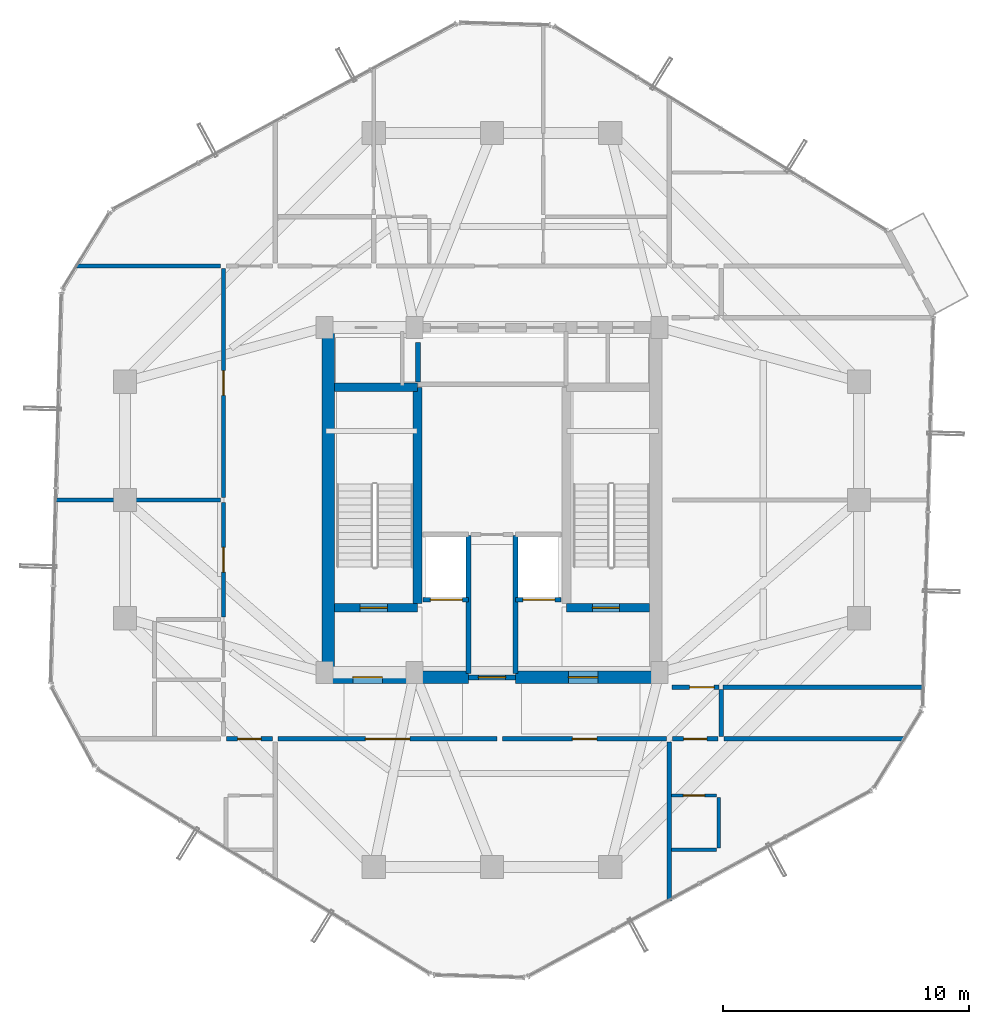
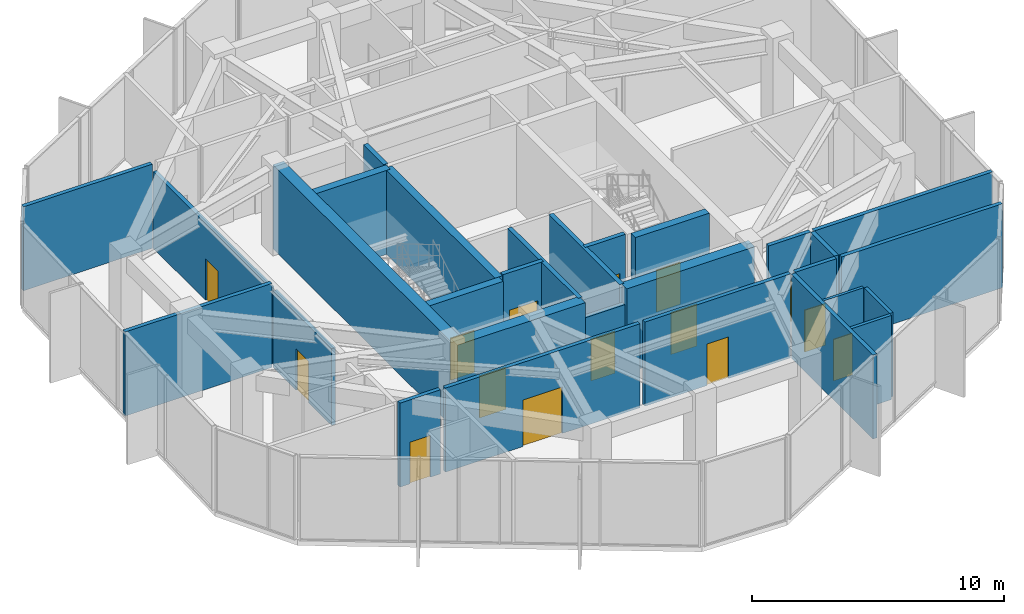
# One storey, part 18 of 22: 29 walls, 15 doors, 15 openings.
"""IFC4 building model written with IfcOpenShell, lengths in metres."""

from ifc_helpers import new_model, si_unit, direction, frame, frame_2d, origin, place, context, subcontext, project, spatial, rectangle, extrude, source, transform, mapped, material, layer, layer_set, type_object, element, fill, save


model = new_model("IFC4")

# Units and contexts
model_context = context("Model", 3, precision=1e-05, world=origin(), true_north=direction((0.0, 1.0)))
body_context = subcontext(model_context, "Body", "Model", "MODEL_VIEW")
ifc_project = project(units=[si_unit("LENGTHUNIT", "METRE"), si_unit("AREAUNIT", "SQUARE_METRE"), si_unit("VOLUMEUNIT", "CUBIC_METRE"), si_unit("PLANEANGLEUNIT", "RADIAN"), si_unit("MASSUNIT", "GRAM", prefix="KILO")], contexts=[model_context])

# Site, building, storey
site_placement = place(None, origin())
site = spatial("IfcSite", under=ifc_project, at=site_placement, CompositionType="ELEMENT")
building_placement = place(site_placement, origin())
building = spatial("IfcBuilding", under=site, at=building_placement, Name="Veraguas Prism Commons", CompositionType="ELEMENT")
storey_placement = place(building_placement, frame((0.0, 0.0, 211.35009765625)))
storey = spatial("IfcBuildingStorey", under=building, at=storey_placement, Name="L60", CompositionType="ELEMENT", Elevation=211.35009765625)

# Wall, opening, door
ifc_material_1 = material(Name="Concrete C50/60", Category="concrete")
ifc_layer_1 = layer(ifc_material_1, 0.35009765625, Name="Core Internal Shear Wall Upper RC 350", Category="concrete")
ifc_layer_set_1 = layer_set([ifc_layer_1], Name="Concrete C50/60")
wall_type_1 = type_object("IfcWallType", Name="Core Internal Shear Wall Upper RC 350", PredefinedType="SHEAR", material=ifc_layer_set_1)
wall_1_placement = place(storey_placement, frame((17.60009765625, 19.625, 0.0), z_axis=(0.0, 0.0, 1.0), x_axis=(1.0, 0.0, 0.0)))
wall_1 = element("IfcWall", 1, at=wall_1_placement, inside=storey, type_object=wall_type_1, Name="Stair ST-01 South Shear Wall L60", PredefinedType="SHEAR", context=body_context, shape_type="SweptSolid", body=[
    extrude(rectangle(XDim=3.375, YDim=0.35009765625, at=frame_2d((1.6875, 0.0))), origin(), (0.0, 0.0, 1.0), 4.06494140625),
])
opening_1_placement = place(wall_1_placement, frame((1.050048828125, 0.0, 0.0)))
opening_1 = element("IfcOpeningElement", 2, at=opening_1_placement, cuts=wall_1, Name="Opening DR-05", PredefinedType="OPENING", context=body_context, shape_type="SweptSolid", body=[
    extrude(rectangle(XDim=1.10009765625, YDim=2.030029296875, at=frame_2d((0.550048828125, 1.01513671875))), frame((0.0, 0.18505859375, 0.0), z_axis=(0.0, -1.0, 0.0), x_axis=(1.0, 0.0, 0.0)), (0.0, 0.0, 1.0), 0.3701171875),
])
ifc_material_2 = material(Name="Steel fire-rated door assembly", Category="steel")
door_type_1 = type_object("IfcDoorType", Name="Protected Stair and Refuge Fire Door 1100x2030", OperationType="NOTDEFINED", PredefinedType="DOOR", material=ifc_material_2)
shared_shape_1 = source(origin(), body_context, "Body", "SweptSolid", [
    extrude(rectangle(XDim=1.10009765625, YDim=2.030029296875, at=frame_2d((0.550048828125, 1.01513671875))), frame((0.0, 0.02490234375, 0.0), z_axis=(0.0, -1.0, 0.0), x_axis=(1.0, 0.0, 0.0)), (0.0, 0.0, 1.0), 0.050048828125),
])
door_1_placement = place(opening_1_placement, origin())
door_1 = element("IfcDoor", 3, at=door_1_placement, inside=storey, type_object=door_type_1, Name="Stair ST-01 Enclosure Door L60", OperationType="SINGLE_SWING_LEFT", OverallHeight=2.030029296875, OverallWidth=1.10009765625, PredefinedType="DOOR", context=body_context, shape_type="MappedRepresentation", body=[
    mapped(shared_shape_1, transform((0.0, 0.0, 0.0), scale=1.0)),
])
fill(opening_1, door_1)

wall_2_placement = place(storey_placement, frame((27.02490234375, 19.625, 0.0), z_axis=(0.0, 0.0, 1.0), x_axis=(1.0, 0.0, 0.0)))
wall_2 = element("IfcWall", 4, at=wall_2_placement, inside=storey, type_object=wall_type_1, Name="Stair ST-02 South Shear Wall L60", PredefinedType="SHEAR", context=body_context, shape_type="SweptSolid", body=[
    extrude(rectangle(XDim=3.375, YDim=0.35009765625, at=frame_2d((1.6875, 0.0))), origin(), (0.0, 0.0, 1.0), 4.06494140625),
])
opening_2_placement = place(wall_2_placement, frame((1.050048828125, 0.0, 0.0)))
opening_2 = element("IfcOpeningElement", 5, at=opening_2_placement, cuts=wall_2, Name="Opening DR-05", PredefinedType="OPENING", context=body_context, shape_type="SweptSolid", body=[
    extrude(rectangle(XDim=1.10009765625, YDim=2.030029296875, at=frame_2d((0.550048828125, 1.01513671875))), frame((0.0, 0.18505859375, 0.0), z_axis=(0.0, -1.0, 0.0), x_axis=(1.0, 0.0, 0.0)), (0.0, 0.0, 1.0), 0.3701171875),
])
door_2_placement = place(opening_2_placement, origin())
door_2 = element("IfcDoor", 6, at=door_2_placement, inside=storey, type_object=door_type_1, Name="Stair ST-02 Enclosure Door L60", OperationType="SINGLE_SWING_RIGHT", OverallHeight=2.030029296875, OverallWidth=1.10009765625, PredefinedType="DOOR", context=body_context, shape_type="MappedRepresentation", body=[
    mapped(shared_shape_1, transform((0.0, 0.0, 0.0), scale=1.0)),
])
fill(opening_2, door_2)

# Walls
wall_3_placement = place(storey_placement, frame((20.97509765625, 19.800048828125, 0.0), z_axis=(0.0, 0.0, 1.0), x_axis=(0.0, 1.0, 0.0)))
element("IfcWall", 7, at=wall_3_placement, inside=storey, type_object=wall_type_1, Name="Stair ST-01 Inner Shear Wall L60", PredefinedType="SHEAR", context=body_context, shape_type="SweptSolid", body=[
    extrude(rectangle(XDim=8.77490234375, YDim=0.35009765625, at=frame_2d((4.387451171875, 0.0))), origin(), (0.0, 0.0, 1.0), 4.06494140625),
])
wall_4_placement = place(storey_placement, frame((17.60009765625, 28.574951171875, 0.0), z_axis=(0.0, 0.0, 1.0), x_axis=(1.0, 0.0, 0.0)))
element("IfcWall", 8, at=wall_4_placement, inside=storey, type_object=wall_type_1, Name="Stair ST-01 North Shear Wall L60", PredefinedType="SHEAR", context=body_context, shape_type="SweptSolid", body=[
    extrude(rectangle(XDim=3.375, YDim=0.35009765625, at=frame_2d((1.6875, 0.0))), origin(), (0.0, 0.0, 1.0), 4.06494140625),
])
ifc_layer_2 = layer(ifc_material_1, 0.5, Name="Core Outer Shear Wall Upper RC 500", Category="concrete")
ifc_layer_set_2 = layer_set([ifc_layer_2], Name="Concrete C50/60")
wall_type_2 = type_object("IfcWallType", Name="Core Outer Shear Wall Upper RC 500", PredefinedType="SHEAR", material=ifc_layer_set_2)
wall_5_placement = place(storey_placement, frame((17.35009765625, 16.800048828125, 0.0), z_axis=(0.0, 0.0, 1.0), x_axis=(0.0, 1.0, 0.0)))
element("IfcWall", 9, at=wall_5_placement, inside=storey, type_object=wall_type_2, Name="Central Core West Shear Wall L60", PredefinedType="SHEAR", context=body_context, shape_type="SweptSolid", body=[
    extrude(rectangle(XDim=14.199951171875, YDim=0.5, at=frame_2d((7.10009765625, 0.0))), origin(), (0.0, 0.0, 1.0), 4.06494140625),
])

# Wall, opening, door
wall_6_placement = place(storey_placement, frame((17.199951171875, 16.800048828125, 0.0), z_axis=(0.0, 0.0, 1.0), x_axis=(1.0, 0.0, 0.0)))
wall_6 = element("IfcWall", 10, at=wall_6_placement, inside=storey, type_object=wall_type_2, Name="Central Core South-West Shear Wall L60", PredefinedType="SHEAR", context=body_context, shape_type="SweptSolid", body=[
    extrude(rectangle(XDim=5.85009765625, YDim=0.5, at=frame_2d((2.925048828125, 0.0))), origin(), (0.0, 0.0, 1.0), 4.06494140625),
])
opening_3_placement = place(wall_6_placement, frame((1.14990234375, 0.0, 0.0)))
opening_3 = element("IfcOpeningElement", 11, at=opening_3_placement, cuts=wall_6, Name="Opening DR-06", PredefinedType="OPENING", context=body_context, shape_type="SweptSolid", body=[
    extrude(rectangle(XDim=1.199951171875, YDim=2.030029296875, at=frame_2d((0.60009765625, 1.01513671875))), frame((0.0, 0.260009765625, 0.0), z_axis=(0.0, -1.0, 0.0), x_axis=(1.0, 0.0, 0.0)), (0.0, 0.0, 1.0), 0.52001953125),
])
door_type_2 = type_object("IfcDoorType", Name="Firefighting Lobby Smoke Door 1200x2030", OperationType="NOTDEFINED", PredefinedType="DOOR", material=ifc_material_2)
shared_shape_2 = source(origin(), body_context, "Body", "SweptSolid", [
    extrude(rectangle(XDim=1.199951171875, YDim=2.030029296875, at=frame_2d((0.60009765625, 1.01513671875))), frame((0.0, 0.02490234375, 0.0), z_axis=(0.0, -1.0, 0.0), x_axis=(1.0, 0.0, 0.0)), (0.0, 0.0, 1.0), 0.050048828125),
])
door_3_placement = place(opening_3_placement, origin())
door_3 = element("IfcDoor", 12, at=door_3_placement, inside=storey, type_object=door_type_2, Name="West FF Lobby Door L60", OperationType="SINGLE_SWING_LEFT", OverallHeight=2.030029296875, OverallWidth=1.199951171875, PredefinedType="DOOR", context=body_context, shape_type="MappedRepresentation", body=[
    mapped(shared_shape_2, transform((0.0, 0.0, 0.0), scale=1.0)),
])
fill(opening_3, door_3)

wall_7_placement = place(storey_placement, frame((24.949951171875, 16.800048828125, 0.0), z_axis=(0.0, 0.0, 1.0), x_axis=(1.0, 0.0, 0.0)))
wall_7 = element("IfcWall", 13, at=wall_7_placement, inside=storey, type_object=wall_type_2, Name="Central Core South-East Shear Wall L60", PredefinedType="SHEAR", context=body_context, shape_type="SweptSolid", body=[
    extrude(rectangle(XDim=5.85009765625, YDim=0.5, at=frame_2d((2.925048828125, 0.0))), origin(), (0.0, 0.0, 1.0), 4.06494140625),
])
opening_4_placement = place(wall_7_placement, frame((2.14990234375, 0.0, 0.0)))
opening_4 = element("IfcOpeningElement", 14, at=opening_4_placement, cuts=wall_7, Name="Opening DR-06", PredefinedType="OPENING", context=body_context, shape_type="SweptSolid", body=[
    extrude(rectangle(XDim=1.199951171875, YDim=2.030029296875, at=frame_2d((0.60009765625, 1.01513671875))), frame((0.0, 0.260009765625, 0.0), z_axis=(0.0, -1.0, 0.0), x_axis=(1.0, 0.0, 0.0)), (0.0, 0.0, 1.0), 0.52001953125),
])
door_4_placement = place(opening_4_placement, origin())
door_4 = element("IfcDoor", 15, at=door_4_placement, inside=storey, type_object=door_type_2, Name="East FF Lobby Door L60", OperationType="SINGLE_SWING_LEFT", OverallHeight=2.030029296875, OverallWidth=1.199951171875, PredefinedType="DOOR", context=body_context, shape_type="MappedRepresentation", body=[
    mapped(shared_shape_2, transform((0.0, 0.0, 0.0), scale=1.0)),
])
fill(opening_4, door_4)

# Wall
ifc_material_3 = material(Name="Autoclaved aerated masonry block 10 MPa", Category="masonry")
ifc_layer_3 = layer(ifc_material_3, 0.179931640625, Name="Corridor and Inter-Tenancy Partition 180", Category="masonry")
ifc_layer_set_3 = layer_set([ifc_layer_3], Name="Autoclaved aerated masonry block 10 MPa")
wall_type_3 = type_object("IfcWallType", Name="Corridor and Inter-Tenancy Partition 180", PredefinedType="PARTITIONING", material=ifc_layer_set_3)
wall_8_placement = place(storey_placement, frame((31.199951171875, 14.179931640625, 0.0), z_axis=(0.0, 0.0, 1.0), x_axis=(0.0, -1.0, 0.0)))
element("IfcWall", 16, at=wall_8_placement, inside=storey, type_object=wall_type_3, Name="WL-L60-PT002", PredefinedType="PARTITIONING", context=body_context, shape_type="SweptSolid", body=[
    extrude(rectangle(XDim=6.454833984375, YDim=0.179931640625, at=frame_2d((3.2275390625, 0.0))), origin(), (0.0, 0.0, 1.0), 4.06494140625),
])

# Wall, opening, door
wall_9_placement = place(storey_placement, frame((15.31005859375, 14.300048828125, 0.0), z_axis=(0.0, 0.0, 1.0), x_axis=(1.0, 0.0, 0.0)))
wall_9 = element("IfcWall", 17, at=wall_9_placement, inside=storey, type_object=wall_type_3, Name="WL-L60-PT003", PredefinedType="PARTITIONING", context=body_context, shape_type="SweptSolid", body=[
    extrude(rectangle(XDim=8.89990234375, YDim=0.179931640625, at=frame_2d((4.449951171875, 0.0))), origin(), (0.0, 0.0, 1.0), 4.06494140625),
])
opening_5_placement = place(wall_9_placement, frame((3.550048828125, 0.0, 0.0)))
opening_5 = element("IfcOpeningElement", 18, at=opening_5_placement, cuts=wall_9, Name="Opening DR-07", PredefinedType="OPENING", context=body_context, shape_type="SweptSolid", body=[
    extrude(rectangle(XDim=1.800048828125, YDim=2.25, at=frame_2d((0.89990234375, 1.125))), frame((0.0, 0.099853515625, 0.0), z_axis=(0.0, -1.0, 0.0), x_axis=(1.0, 0.0, 0.0)), (0.0, 0.0, 1.0), 0.199951171875),
])
door_type_3 = type_object("IfcDoorType", Name="Corridor Double Fire Door 1800x2250", OperationType="NOTDEFINED", PredefinedType="DOOR", material=ifc_material_2)
shared_shape_3 = source(origin(), body_context, "Body", "SweptSolid", [
    extrude(rectangle(XDim=1.800048828125, YDim=2.25, at=frame_2d((0.89990234375, 1.125))), frame((0.0, 0.02490234375, 0.0), z_axis=(0.0, -1.0, 0.0), x_axis=(1.0, 0.0, 0.0)), (0.0, 0.0, 1.0), 0.050048828125),
])
door_5_placement = place(opening_5_placement, origin())
door_5 = element("IfcDoor", 19, at=door_5_placement, inside=storey, type_object=door_type_3, Name="Community Multipurpose Assembly Hall Door 1", OperationType="SINGLE_SWING_RIGHT", OverallHeight=2.25, OverallWidth=1.800048828125, PredefinedType="DOOR", context=body_context, shape_type="MappedRepresentation", body=[
    mapped(shared_shape_3, transform((0.0, 0.0, 0.0), scale=1.0)),
])
fill(opening_5, door_5)

wall_10_placement = place(storey_placement, frame((24.429931640625, 14.300048828125, 0.0), z_axis=(0.0, 0.0, 1.0), x_axis=(1.0, 0.0, 0.0)))
wall_10 = element("IfcWall", 20, at=wall_10_placement, inside=storey, type_object=wall_type_3, Name="WL-L60-PT004", PredefinedType="PARTITIONING", context=body_context, shape_type="SweptSolid", body=[
    extrude(rectangle(XDim=6.66015625, YDim=0.179931640625, at=frame_2d((3.330078125, 0.0))), origin(), (0.0, 0.0, 1.0), 4.06494140625),
])
opening_6_placement = place(wall_10_placement, frame((2.830078125, 0.0, 0.0)))
opening_6 = element("IfcOpeningElement", 21, at=opening_6_placement, cuts=wall_10, Name="Opening DR-13", PredefinedType="OPENING", context=body_context, shape_type="SweptSolid", body=[
    extrude(rectangle(XDim=1.0, YDim=2.010009765625, at=frame_2d((0.5, 1.0048828125))), frame((0.0, 0.099853515625, 0.0), z_axis=(0.0, -1.0, 0.0), x_axis=(1.0, 0.0, 0.0)), (0.0, 0.0, 1.0), 0.199951171875),
])
door_type_4 = type_object("IfcDoorType", Name="Core Accessible WC and Clinic Fire Door 1000x2010", OperationType="NOTDEFINED", PredefinedType="DOOR", material=ifc_material_2)
shared_shape_4 = source(origin(), body_context, "Body", "SweptSolid", [
    extrude(rectangle(XDim=1.0, YDim=2.010009765625, at=frame_2d((0.5, 1.0048828125))), frame((0.0, 0.02490234375, 0.0), z_axis=(0.0, -1.0, 0.0), x_axis=(1.0, 0.0, 0.0)), (0.0, 0.0, 1.0), 0.050048828125),
])
door_6_placement = place(opening_6_placement, origin())
door_6 = element("IfcDoor", 22, at=door_6_placement, inside=storey, type_object=door_type_4, Name="Community Multipurpose Assembly Hall Door 2", OperationType="SINGLE_SWING_LEFT", OverallHeight=2.010009765625, OverallWidth=1.0, PredefinedType="DOOR", context=body_context, shape_type="MappedRepresentation", body=[
    mapped(shared_shape_4, transform((0.0, 0.0, 0.0), scale=1.0)),
])
fill(opening_6, door_6)

# Wall
wall_11_placement = place(storey_placement, frame((12.97998046875, 33.5, 0.0), z_axis=(0.0, 0.0, 1.0), x_axis=(-1.0, 0.0, 0.0)))
element("IfcWall", 23, at=wall_11_placement, inside=storey, type_object=wall_type_3, Name="WL-L60-PT018", PredefinedType="PARTITIONING", context=body_context, shape_type="SweptSolid", body=[
    extrude(rectangle(XDim=5.880859375, YDim=0.179931640625, at=frame_2d((2.9404296875, 0.0))), origin(), (0.0, 0.0, 1.0), 4.06494140625),
])

# Wall, opening, door
wall_12_placement = place(storey_placement, frame((13.10009765625, 19.260009765625, 0.0), z_axis=(0.0, 0.0, 1.0), x_axis=(0.0, 1.0, 0.0)))
wall_12 = element("IfcWall", 24, at=wall_12_placement, inside=storey, type_object=wall_type_3, Name="WL-L60-PT021", PredefinedType="PARTITIONING", context=body_context, shape_type="SweptSolid", body=[
    extrude(rectangle(XDim=4.6298828125, YDim=0.179931640625, at=frame_2d((2.31494140625, 0.0))), origin(), (0.0, 0.0, 1.0), 3.7119140625),
])
opening_7_placement = place(wall_12_placement, frame((1.81494140625, 0.0, 0.0)))
opening_7 = element("IfcOpeningElement", 25, at=opening_7_placement, cuts=wall_12, Name="Opening DR-13", PredefinedType="OPENING", context=body_context, shape_type="SweptSolid", body=[
    extrude(rectangle(XDim=1.0, YDim=2.010009765625, at=frame_2d((0.5, 1.0048828125))), frame((0.0, 0.099853515625, 0.0), z_axis=(0.0, -1.0, 0.0), x_axis=(1.0, 0.0, 0.0)), (0.0, 0.0, 1.0), 0.199951171875),
])
door_7_placement = place(opening_7_placement, origin())
door_7 = element("IfcDoor", 26, at=door_7_placement, inside=storey, type_object=door_type_4, Name="Quiet Study L60 Door", OperationType="SINGLE_SWING_RIGHT", OverallHeight=2.010009765625, OverallWidth=1.0, PredefinedType="DOOR", context=body_context, shape_type="MappedRepresentation", body=[
    mapped(shared_shape_4, transform((0.0, 0.0, 0.0), scale=1.0)),
])
fill(opening_7, door_7)

wall_13_placement = place(storey_placement, frame((13.10009765625, 24.110107421875, 0.0), z_axis=(0.0, 0.0, 1.0), x_axis=(0.0, 1.0, 0.0)))
wall_13 = element("IfcWall", 27, at=wall_13_placement, inside=storey, type_object=wall_type_3, Name="WL-L60-PT022", PredefinedType="PARTITIONING", context=body_context, shape_type="SweptSolid", body=[
    extrude(rectangle(XDim=9.27978515625, YDim=0.179931640625, at=frame_2d((4.639892578125, 0.0))), origin(), (0.0, 0.0, 1.0), 3.7119140625),
])
opening_8_placement = place(wall_13_placement, frame((4.139892578125, 0.0, 0.0)))
opening_8 = element("IfcOpeningElement", 28, at=opening_8_placement, cuts=wall_13, Name="Opening DR-13", PredefinedType="OPENING", context=body_context, shape_type="SweptSolid", body=[
    extrude(rectangle(XDim=1.0, YDim=2.010009765625, at=frame_2d((0.5, 1.0048828125))), frame((0.0, 0.099853515625, 0.0), z_axis=(0.0, -1.0, 0.0), x_axis=(1.0, 0.0, 0.0)), (0.0, 0.0, 1.0), 0.199951171875),
])
door_8_placement = place(opening_8_placement, origin())
door_8 = element("IfcDoor", 29, at=door_8_placement, inside=storey, type_object=door_type_4, Name="Reading Lounge L60 Door", OperationType="SINGLE_SWING_LEFT", OverallHeight=2.010009765625, OverallWidth=1.0, PredefinedType="DOOR", context=body_context, shape_type="MappedRepresentation", body=[
    mapped(shared_shape_4, transform((0.0, 0.0, 0.0), scale=1.0)),
])
fill(opening_8, door_8)

# Walls
wall_14_placement = place(storey_placement, frame((12.97998046875, 24.0, 0.0), z_axis=(0.0, 0.0, 1.0), x_axis=(-1.0, 0.0, 0.0)))
element("IfcWall", 30, at=wall_14_placement, inside=storey, type_object=wall_type_3, Name="WL-L60-PT027", PredefinedType="PARTITIONING", context=body_context, shape_type="SweptSolid", body=[
    extrude(rectangle(XDim=6.72705078125, YDim=0.179931640625, at=frame_2d((3.363525390625, 0.0))), origin(), (0.0, 0.0, 1.0), 4.06494140625),
])
wall_15_placement = place(storey_placement, frame((33.300048828125, 14.39990234375, 0.0), z_axis=(0.0, 0.0, 1.0), x_axis=(0.0, 1.0, 0.0)))
element("IfcWall", 31, at=wall_15_placement, inside=storey, type_object=wall_type_3, Name="WL-L60-PT029", PredefinedType="PARTITIONING", context=body_context, shape_type="SweptSolid", body=[
    extrude(rectangle(XDim=1.900146484375, YDim=0.179931640625, at=frame_2d((0.9501953125, 0.0))), origin(), (0.0, 0.0, 1.0), 4.06494140625),
])

# Wall, opening, door
wall_16_placement = place(storey_placement, frame((31.300048828125, 16.39990234375, 0.0), z_axis=(0.0, 0.0, 1.0), x_axis=(1.0, 0.0, 0.0)))
wall_16 = element("IfcWall", 32, at=wall_16_placement, inside=storey, type_object=wall_type_3, Name="WL-L60-PT031", PredefinedType="PARTITIONING", context=body_context, shape_type="SweptSolid", body=[
    extrude(rectangle(XDim=1.919921875, YDim=0.179931640625, at=frame_2d((0.9599609375, 0.0))), origin(), (0.0, 0.0, 1.0), 4.06494140625),
])
opening_9_placement = place(wall_16_placement, frame((0.719970703125, 0.0, 0.0)))
opening_9 = element("IfcOpeningElement", 33, at=opening_9_placement, cuts=wall_16, Name="Opening DR-13", PredefinedType="OPENING", context=body_context, shape_type="SweptSolid", body=[
    extrude(rectangle(XDim=1.0, YDim=2.010009765625, at=frame_2d((0.5, 1.0048828125))), frame((0.0, 0.099853515625, 0.0), z_axis=(0.0, -1.0, 0.0), x_axis=(1.0, 0.0, 0.0)), (0.0, 0.0, 1.0), 0.199951171875),
])
door_9_placement = place(opening_9_placement, origin())
door_9 = element("IfcDoor", 34, at=door_9_placement, inside=storey, type_object=door_type_4, Name="Panorama Lounge Door L60", OperationType="SINGLE_SWING_RIGHT", OverallHeight=2.010009765625, OverallWidth=1.0, PredefinedType="DOOR", context=body_context, shape_type="MappedRepresentation", body=[
    mapped(shared_shape_4, transform((0.0, 0.0, 0.0), scale=1.0)),
])
fill(opening_9, door_9)

# Wall
wall_17_placement = place(storey_placement, frame((33.3798828125, 16.39990234375, 0.0), z_axis=(0.0, 0.0, 1.0), x_axis=(1.0, 0.0, 0.0)))
element("IfcWall", 35, at=wall_17_placement, inside=storey, type_object=wall_type_3, Name="WL-L60-PT032", PredefinedType="PARTITIONING", context=body_context, shape_type="SweptSolid", body=[
    extrude(rectangle(XDim=8.157470703125, YDim=0.179931640625, at=frame_2d((4.07861328125, 0.0))), origin(), (0.0, 0.0, 1.0), 4.06494140625),
])

# Wall, opening, door
wall_18_placement = place(storey_placement, frame((13.219970703125, 14.300048828125, 0.0), z_axis=(0.0, 0.0, 1.0), x_axis=(1.0, 0.0, 0.0)))
wall_18 = element("IfcWall", 36, at=wall_18_placement, inside=storey, type_object=wall_type_3, Name="WL-L60-PT035", PredefinedType="PARTITIONING", context=body_context, shape_type="SweptSolid", body=[
    extrude(rectangle(XDim=1.860107421875, YDim=0.179931640625, at=frame_2d((0.93017578125, 0.0))), origin(), (0.0, 0.0, 1.0), 4.06494140625),
])
opening_10_placement = place(wall_18_placement, frame((0.455078125, 0.0, 0.0)))
opening_10 = element("IfcOpeningElement", 37, at=opening_10_placement, cuts=wall_18, Name="Opening DR-01", PredefinedType="OPENING", context=body_context, shape_type="SweptSolid", body=[
    extrude(rectangle(XDim=0.949951171875, YDim=2.02001953125, at=frame_2d((0.47509765625, 1.010009765625))), frame((0.0, 0.099853515625, 0.0), z_axis=(0.0, -1.0, 0.0), x_axis=(1.0, 0.0, 0.0)), (0.0, 0.0, 1.0), 0.199951171875),
])
ifc_material_4 = material(Name="Anodised aluminium EN AW-6063 T6", Category="aluminium")
door_type_5 = type_object("IfcDoorType", Name="Apartment Entrance Fire Door 950x2020", OperationType="NOTDEFINED", PredefinedType="DOOR", material=ifc_material_4)
shared_shape_5 = source(origin(), body_context, "Body", "SweptSolid", [
    extrude(rectangle(XDim=0.949951171875, YDim=2.02001953125, at=frame_2d((0.47509765625, 1.010009765625))), frame((0.0, 0.02490234375, 0.0), z_axis=(0.0, -1.0, 0.0), x_axis=(1.0, 0.0, 0.0)), (0.0, 0.0, 1.0), 0.050048828125),
])
door_10_placement = place(opening_10_placement, origin())
door_10 = element("IfcDoor", 38, at=door_10_placement, inside=storey, type_object=door_type_5, Name="Studio 60B Entrance Door", OperationType="SINGLE_SWING_RIGHT", OverallHeight=2.02001953125, OverallWidth=0.949951171875, PredefinedType="DOOR", context=body_context, shape_type="MappedRepresentation", body=[
    mapped(shared_shape_5, transform((0.0, 0.0, 0.0), scale=1.0)),
])
fill(opening_10, door_10)

# Wall
wall_19_placement = place(storey_placement, frame((33.419921875, 14.300048828125, 0.0), z_axis=(0.0, 0.0, 1.0), x_axis=(1.0, 0.0, 0.0)))
element("IfcWall", 39, at=wall_19_placement, inside=storey, type_object=wall_type_3, Name="WL-L60-PT039", PredefinedType="PARTITIONING", context=body_context, shape_type="SweptSolid", body=[
    extrude(rectangle(XDim=7.358154296875, YDim=0.179931640625, at=frame_2d((3.67919921875, 0.0))), origin(), (0.0, 0.0, 1.0), 4.06494140625),
])

# Wall, opening, door
wall_20_placement = place(storey_placement, frame((31.320068359375, 14.300048828125, 0.0), z_axis=(0.0, 0.0, 1.0), x_axis=(1.0, 0.0, 0.0)))
wall_20 = element("IfcWall", 40, at=wall_20_placement, inside=storey, type_object=wall_type_3, Name="WL-L60-PT040", PredefinedType="PARTITIONING", context=body_context, shape_type="SweptSolid", body=[
    extrude(rectangle(XDim=1.85986328125, YDim=0.179931640625, at=frame_2d((0.929931640625, 0.0))), origin(), (0.0, 0.0, 1.0), 4.06494140625),
])
opening_11_placement = place(wall_20_placement, frame((0.455078125, 0.0, 0.0)))
opening_11 = element("IfcOpeningElement", 41, at=opening_11_placement, cuts=wall_20, Name="Opening DR-01", PredefinedType="OPENING", context=body_context, shape_type="SweptSolid", body=[
    extrude(rectangle(XDim=0.949951171875, YDim=2.02001953125, at=frame_2d((0.47509765625, 1.010009765625))), frame((0.0, 0.099853515625, 0.0), z_axis=(0.0, -1.0, 0.0), x_axis=(1.0, 0.0, 0.0)), (0.0, 0.0, 1.0), 0.199951171875),
])
door_11_placement = place(opening_11_placement, origin())
door_11 = element("IfcDoor", 42, at=door_11_placement, inside=storey, type_object=door_type_5, Name="Studio 60C Entrance Door", OperationType="SINGLE_SWING_RIGHT", OverallHeight=2.02001953125, OverallWidth=0.949951171875, PredefinedType="DOOR", context=body_context, shape_type="MappedRepresentation", body=[
    mapped(shared_shape_5, transform((0.0, 0.0, 0.0), scale=1.0)),
])
fill(opening_11, door_11)

ifc_material_5 = material(Name="Lightweight acoustic gypsum board")
ifc_layer_4 = layer(ifc_material_5, 0.125, Name="Internal Apartment Room Partition 125")
ifc_layer_set_4 = layer_set([ifc_layer_4], Name="Lightweight acoustic gypsum board")
wall_type_4 = type_object("IfcWallType", Name="Internal Apartment Room Partition 125", PredefinedType="PARTITIONING", material=ifc_layer_set_4)
wall_21_placement = place(storey_placement, frame((31.280029296875, 12.0, 0.0), z_axis=(0.0, 0.0, 1.0), x_axis=(1.0, 0.0, 0.0)))
wall_21 = element("IfcWall", 43, at=wall_21_placement, inside=storey, type_object=wall_type_4, Name="WL-L60-PT041", PredefinedType="PARTITIONING", context=body_context, shape_type="SweptSolid", body=[
    extrude(rectangle(XDim=1.840087890625, YDim=0.125, at=frame_2d((0.919921875, 0.0))), origin(), (0.0, 0.0, 1.0), 4.06494140625),
])
opening_12_placement = place(wall_21_placement, frame((0.489990234375, 0.0, 0.0)))
opening_12 = element("IfcOpeningElement", 44, at=opening_12_placement, cuts=wall_21, Name="Opening DR-03", PredefinedType="OPENING", context=body_context, shape_type="SweptSolid", body=[
    extrude(rectangle(XDim=0.860107421875, YDim=2.010009765625, at=frame_2d((0.43017578125, 1.0048828125))), frame((0.0, 0.072509765625, 0.0), z_axis=(0.0, -1.0, 0.0), x_axis=(1.0, 0.0, 0.0)), (0.0, 0.0, 1.0), 0.14501953125),
])
ifc_material_6 = material(Name="Timber moisture-resistant leaf", Category="wood")
door_type_6 = type_object("IfcDoorType", Name="Internal Bathroom Door 860x2010", OperationType="NOTDEFINED", PredefinedType="DOOR", material=ifc_material_6)
shared_shape_6 = source(origin(), body_context, "Body", "SweptSolid", [
    extrude(rectangle(XDim=0.860107421875, YDim=2.010009765625, at=frame_2d((0.43017578125, 1.0048828125))), frame((0.0, 0.02490234375, 0.0), z_axis=(0.0, -1.0, 0.0), x_axis=(1.0, 0.0, 0.0)), (0.0, 0.0, 1.0), 0.050048828125),
])
door_12_placement = place(opening_12_placement, origin())
door_12 = element("IfcDoor", 45, at=door_12_placement, inside=storey, type_object=door_type_6, Name="Studio 60C Bathroom Door", OperationType="SINGLE_SWING_LEFT", OverallHeight=2.010009765625, OverallWidth=0.860107421875, PredefinedType="DOOR", context=body_context, shape_type="MappedRepresentation", body=[
    mapped(shared_shape_6, transform((0.0, 0.0, 0.0), scale=1.0)),
])
fill(opening_12, door_12)

ifc_layer_5 = layer(ifc_material_3, 0.199951171875, Name="Rated Shaft and Lobby Block Wall 200", Category="masonry")
ifc_layer_set_5 = layer_set([ifc_layer_5], Name="Autoclaved aerated masonry block 10 MPa")
wall_type_5 = type_object("IfcWallType", Name="Rated Shaft and Lobby Block Wall 200", PredefinedType="SOLIDWALL", material=ifc_layer_set_5)
wall_22_placement = place(storey_placement, frame((23.050048828125, 16.800048828125, 0.0), z_axis=(0.0, 0.0, 1.0), x_axis=(1.0, 0.0, 0.0)))
wall_22 = element("IfcWall", 46, at=wall_22_placement, inside=storey, type_object=wall_type_5, Name="Central Core Lobby Entrance Wall L60", PredefinedType="SOLIDWALL", context=body_context, shape_type="SweptSolid", body=[
    extrude(rectangle(XDim=1.89990234375, YDim=0.199951171875, at=frame_2d((0.949951171875, 0.0))), origin(), (0.0, 0.0, 1.0), 3.21484375),
])
opening_13_placement = place(wall_22_placement, frame((0.39990234375, 0.0, 0.0)))
opening_13 = element("IfcOpeningElement", 47, at=opening_13_placement, cuts=wall_22, Name="Opening DR-05", PredefinedType="OPENING", context=body_context, shape_type="SweptSolid", body=[
    extrude(rectangle(XDim=1.10009765625, YDim=2.030029296875, at=frame_2d((0.550048828125, 1.01513671875))), frame((0.0, 0.10986328125, 0.0), z_axis=(0.0, -1.0, 0.0), x_axis=(1.0, 0.0, 0.0)), (0.0, 0.0, 1.0), 0.219970703125),
])
door_13_placement = place(opening_13_placement, origin())
door_13 = element("IfcDoor", 48, at=door_13_placement, inside=storey, type_object=door_type_1, Name="Central Lobby Door L60", OperationType="SINGLE_SWING_RIGHT", OverallHeight=2.030029296875, OverallWidth=1.10009765625, PredefinedType="DOOR", context=body_context, shape_type="MappedRepresentation", body=[
    mapped(shared_shape_1, transform((0.0, 0.0, 0.0), scale=1.0)),
])
fill(opening_13, door_13)

wall_23_placement = place(storey_placement, frame((21.199951171875, 19.949951171875, 0.0), z_axis=(0.0, 0.0, 1.0), x_axis=(1.0, 0.0, 0.0)))
wall_23 = element("IfcWall", 49, at=wall_23_placement, inside=storey, type_object=wall_type_5, Name="Firefighting Lift FFL-1 Front Wall L60", PredefinedType="SOLIDWALL", context=body_context, shape_type="SweptSolid", body=[
    extrude(rectangle(XDim=1.85009765625, YDim=0.199951171875, at=frame_2d((0.925048828125, 0.0))), origin(), (0.0, 0.0, 1.0), 4.06494140625),
])
opening_14_placement = place(wall_23_placement, frame((0.300048828125, 0.0, 0.0)))
opening_14 = element("IfcOpeningElement", 50, at=opening_14_placement, cuts=wall_23, Name="Opening LD-02", PredefinedType="OPENING", context=body_context, shape_type="SweptSolid", body=[
    extrude(rectangle(XDim=1.300048828125, YDim=2.25, at=frame_2d((0.64990234375, 1.125))), frame((0.0, 0.10986328125, 0.0), z_axis=(0.0, -1.0, 0.0), x_axis=(1.0, 0.0, 0.0)), (0.0, 0.0, 1.0), 0.219970703125),
])
ifc_material_7 = material(Name="Stainless steel AISI 316", Category="steel")
door_type_7 = type_object("IfcDoorType", Name="Firefighting Lift Sliding Landing Door 1300x2250", OperationType="NOTDEFINED", PredefinedType="DOOR", material=ifc_material_7)
shared_shape_7 = source(origin(), body_context, "Body", "SweptSolid", [
    extrude(rectangle(XDim=1.300048828125, YDim=2.25, at=frame_2d((0.64990234375, 1.125))), frame((0.0, 0.02490234375, 0.0), z_axis=(0.0, -1.0, 0.0), x_axis=(1.0, 0.0, 0.0)), (0.0, 0.0, 1.0), 0.050048828125),
])
door_14_placement = place(opening_14_placement, origin())
door_14 = element("IfcDoor", 51, at=door_14_placement, inside=storey, type_object=door_type_7, Name="Firefighting Lift FFL-1 Landing Door L60", OperationType="SLIDING_TO_LEFT", OverallHeight=2.25, OverallWidth=1.300048828125, PredefinedType="DOOR", context=body_context, shape_type="MappedRepresentation", body=[
    mapped(shared_shape_7, transform((0.0, 0.0, 0.0), scale=1.0)),
])
fill(opening_14, door_14)

wall_24_placement = place(storey_placement, frame((24.949951171875, 19.949951171875, 0.0), z_axis=(0.0, 0.0, 1.0), x_axis=(1.0, 0.0, 0.0)))
wall_24 = element("IfcWall", 52, at=wall_24_placement, inside=storey, type_object=wall_type_5, Name="Firefighting Lift FFL-2 Front Wall L60", PredefinedType="SOLIDWALL", context=body_context, shape_type="SweptSolid", body=[
    extrude(rectangle(XDim=1.85009765625, YDim=0.199951171875, at=frame_2d((0.925048828125, 0.0))), origin(), (0.0, 0.0, 1.0), 4.06494140625),
])
opening_15_placement = place(wall_24_placement, frame((0.300048828125, 0.0, 0.0)))
opening_15 = element("IfcOpeningElement", 53, at=opening_15_placement, cuts=wall_24, Name="Opening LD-02", PredefinedType="OPENING", context=body_context, shape_type="SweptSolid", body=[
    extrude(rectangle(XDim=1.300048828125, YDim=2.25, at=frame_2d((0.64990234375, 1.125))), frame((0.0, 0.10986328125, 0.0), z_axis=(0.0, -1.0, 0.0), x_axis=(1.0, 0.0, 0.0)), (0.0, 0.0, 1.0), 0.219970703125),
])
door_15_placement = place(opening_15_placement, origin())
door_15 = element("IfcDoor", 54, at=door_15_placement, inside=storey, type_object=door_type_7, Name="Firefighting Lift FFL-2 Front Wall L60", OperationType="SLIDING_TO_LEFT", OverallHeight=2.25, OverallWidth=1.300048828125, PredefinedType="DOOR", context=body_context, shape_type="MappedRepresentation", body=[
    mapped(shared_shape_7, transform((0.0, 0.0, 0.0), scale=1.0)),
])
fill(opening_15, door_15)

# Walls
for number, where, z_axis, x_axis, name in (
    (55, (23.050048828125, 16.949951171875, 0.0), (0.0, 0.0, 1.0), (0.0, 1.0, 0.0), "West FF Lobby Divider Wall L60"),
    (56, (24.949951171875, 16.949951171875, 0.0), (0.0, 0.0, 1.0), (0.0, 1.0, 0.0), "East FF Lobby Divider Wall L60"),
):
    element("IfcWall", number, at=place(storey_placement, frame(where, z_axis=z_axis, x_axis=x_axis)), inside=storey, type_object=wall_type_5, Name=name, PredefinedType="SOLIDWALL", context=body_context, shape_type="SweptSolid", body=[
        extrude(rectangle(XDim=5.60009765625, YDim=0.199951171875, at=frame_2d((2.800048828125, 0.0))), origin(), (0.0, 0.0, 1.0), 4.06494140625),
    ])
wall_25_placement = place(storey_placement, frame((21.0, 28.800048828125, 0.0), z_axis=(0.0, 0.0, 1.0), x_axis=(0.0, 1.0, 0.0)))
element("IfcWall", 57, at=wall_25_placement, inside=storey, type_object=wall_type_5, Name="High-Rise Lift Bank West Shaft Wall L60", PredefinedType="SOLIDWALL", context=body_context, shape_type="SweptSolid", body=[
    extrude(rectangle(XDim=1.599853515625, YDim=0.199951171875, at=frame_2d((0.7998046875, 0.0))), origin(), (0.0, 0.0, 1.0), 4.06494140625),
])
ifc_layer_6 = layer(ifc_material_5, 0.14990234375, Name="Wet Room and Clinic Acoustic Partition 150")
ifc_layer_set_6 = layer_set([ifc_layer_6], Name="Lightweight acoustic gypsum board")
wall_type_6 = type_object("IfcWallType", Name="Wet Room and Clinic Acoustic Partition 150", PredefinedType="PARTITIONING", material=ifc_layer_set_6)
wall_26_placement = place(storey_placement, frame((31.280029296875, 9.800048828125, 0.0), z_axis=(0.0, 0.0, 1.0), x_axis=(1.0, 0.0, 0.0)))
element("IfcWall", 58, at=wall_26_placement, inside=storey, type_object=wall_type_6, Name="WL-L60-PT042", PredefinedType="PARTITIONING", context=body_context, shape_type="SweptSolid", body=[
    extrude(rectangle(XDim=1.840087890625, YDim=0.14990234375, at=frame_2d((0.919921875, 0.0))), origin(), (0.0, 0.0, 1.0), 4.06494140625),
])
wall_27_placement = place(storey_placement, frame((33.199951171875, 9.8798828125, 0.0), z_axis=(0.0, 0.0, 1.0), x_axis=(0.0, 1.0, 0.0)))
element("IfcWall", 59, at=wall_27_placement, inside=storey, type_object=wall_type_6, Name="WL-L60-PT043", PredefinedType="PARTITIONING", context=body_context, shape_type="SweptSolid", body=[
    extrude(rectangle(XDim=2.0400390625, YDim=0.14990234375, at=frame_2d((1.02001953125, 0.0))), origin(), (0.0, 0.0, 1.0), 4.06494140625),
])

save(model, "model.ifc")
